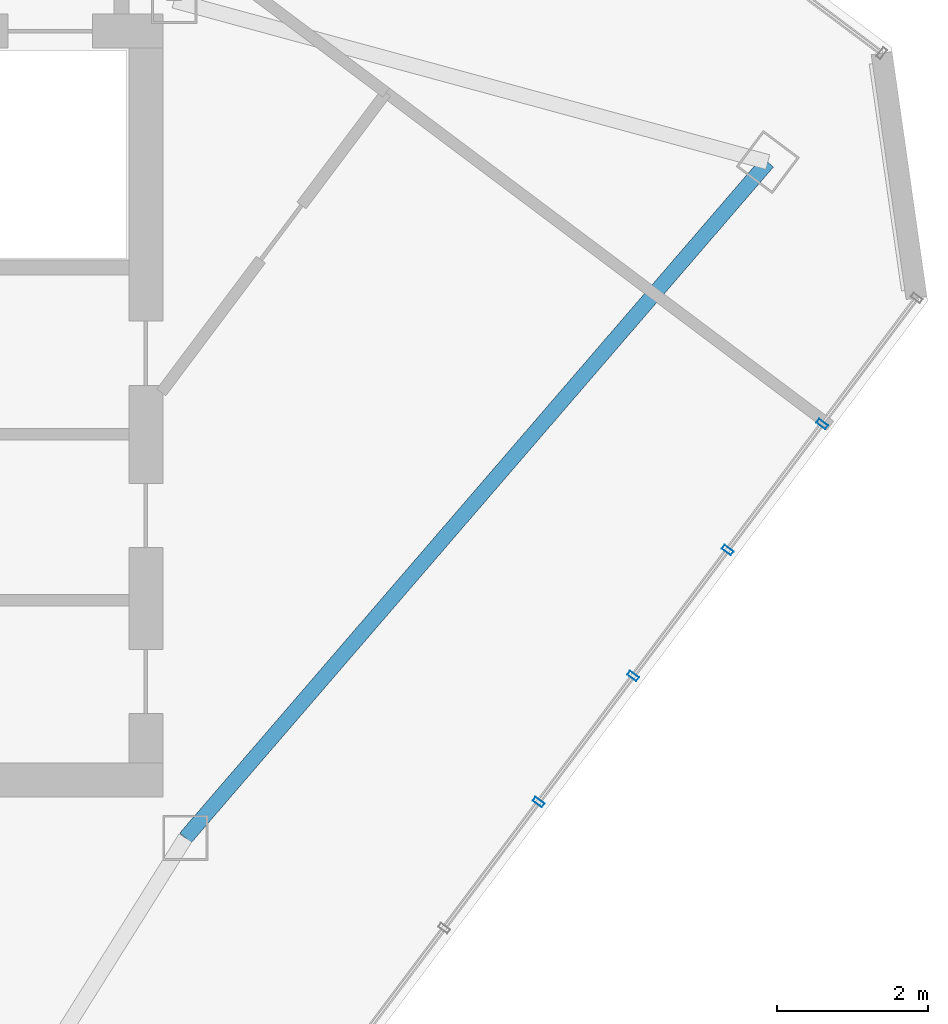
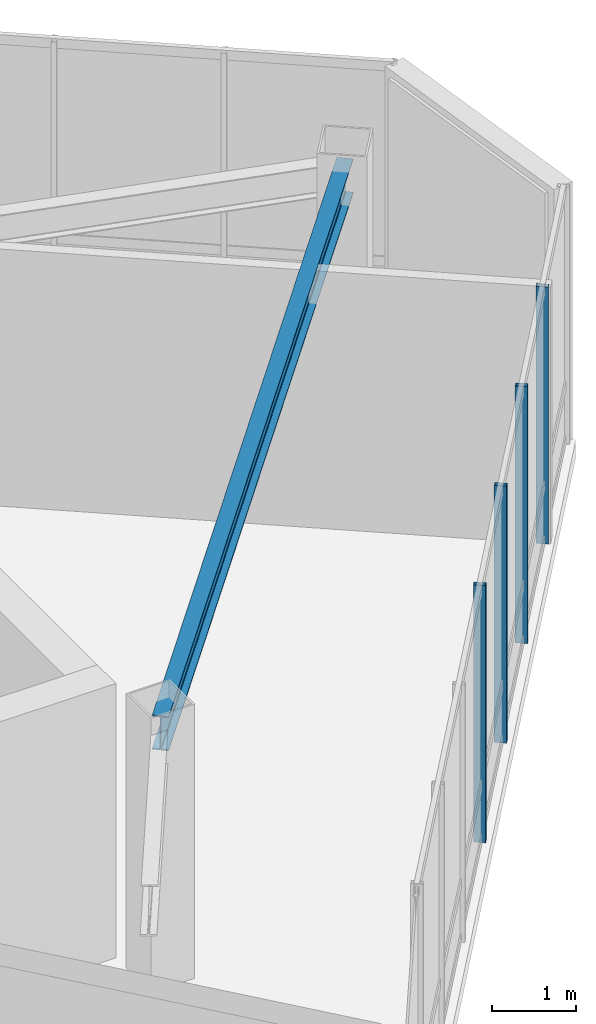
# One storey, part 10 of 30: 4 members, 1 beam, 1 element without a shape of its own.
"""IFC4 building model written with IfcOpenShell, lengths in metres."""

import ifcopenshell
import ifcopenshell.guid

model = None  # the IFC model being written
_history = None  # IfcOwnerHistory: only IFC2X3 demands one
_inside = {}  # id of a spatial element -> (the spatial element, [elements in it])
_under = {}  # id of a project, library or spatial element -> (it, [spatial elements below it])
_declared = {}  # id of a project -> (the project, [libraries it declares])
_typed = {}  # id of a type object -> (the type object, [elements of that type])
_made_of = {}  # id of a material, layer set ... -> (it, [elements and type objects made of it])


def new_model(schema):
    """Start an empty IFC model of exactly this schema.

    Asked for "IFC4X3", IfcOpenShell would pick the latest addendum, in which some entities
    have other attributes; the version numbers below select the first issue.
    IFC2X3 requires an IfcOwnerHistory on every rooted entity: one is made here for all.
    """
    global model, _history
    if schema == "IFC4X3":
        model = ifcopenshell.file(schema_version=(4, 3, 0, 0))
    else:
        model = ifcopenshell.file(schema=schema)
    _inside.clear()
    _under.clear()
    _declared.clear()
    _typed.clear()
    _made_of.clear()
    _history = None
    if model.schema == "IFC2X3":
        org = make("IfcOrganization", Name="unknown")
        user = make(
            "IfcPersonAndOrganization",
            ThePerson=make("IfcPerson", FamilyName="unknown"),
            TheOrganization=org,
        )
        app = make(
            "IfcApplication",
            ApplicationDeveloper=org,
            Version="unknown",
            ApplicationFullName="unknown",
            ApplicationIdentifier="unknown",
        )
        _history = make(
            "IfcOwnerHistory",
            OwningUser=user,
            OwningApplication=app,
            ChangeAction="ADDED",
            CreationDate=0,
        )
    return model


def make(cls, **values):
    """One entity of the class cls with the attributes given. An attribute that is None is left unset."""
    return model.create_entity(
        cls, **{name: value for name, value in values.items() if value is not None}
    )


def rooted(cls, **values):
    """An entity with a GlobalId (a new one), such as an element, a storey or a relation."""
    return make(cls, GlobalId=ifcopenshell.guid.new(), OwnerHistory=_history, **values)


def si_unit(unit_type, name, prefix=None):
    """IfcSIUnit, for example si_unit("LENGTHUNIT", "METRE", prefix="MILLI")."""
    return make("IfcSIUnit", UnitType=unit_type, Prefix=prefix, Name=name)


def assignment(units):
    """IfcUnitAssignment: the units of a project."""
    return None if units is None else make("IfcUnitAssignment", Units=units)


def point(xyz):
    """IfcCartesianPoint."""
    return None if xyz is None else make("IfcCartesianPoint", Coordinates=xyz)


def direction(xyz):
    """IfcDirection."""
    return None if xyz is None else make("IfcDirection", DirectionRatios=xyz)


def frame(location, z_axis=None, x_axis=None):
    """IfcAxis2Placement3D, a coordinate frame: its origin and axes. An axis left out is left unset."""
    return make(
        "IfcAxis2Placement3D",
        Location=point(location),
        Axis=direction(z_axis),
        RefDirection=direction(x_axis),
    )


def frame_2d(location, x_axis=None):
    """IfcAxis2Placement2D, a coordinate frame in the plane: its origin and x axis."""
    return make(
        "IfcAxis2Placement2D", Location=point(location), RefDirection=direction(x_axis)
    )


def origin():
    """The frame at (0, 0, 0) with its axes left unset."""
    return frame((0.0, 0.0, 0.0))


def origin_2d():
    """The frame at (0, 0) in the plane with its x axis left unset."""
    return frame_2d((0.0, 0.0))


def place(relative_to, where):
    """IfcLocalPlacement: puts the frame where relative to a parent placement (None: the world)."""
    return make(
        "IfcLocalPlacement", PlacementRelTo=relative_to, RelativePlacement=where
    )


def context(
    kind, dimensions, precision=None, world=None, true_north=None, identifier=None
):
    """IfcGeometricRepresentationContext, for example the 3D "Model" context."""
    return make(
        "IfcGeometricRepresentationContext",
        ContextIdentifier=identifier,
        ContextType=kind,
        CoordinateSpaceDimension=dimensions,
        Precision=precision,
        WorldCoordinateSystem=world,
        TrueNorth=true_north,
    )


def subcontext(parent, identifier, kind, view, scale=None):
    """IfcGeometricRepresentationSubContext, for example "Body" below "Model"."""
    return make(
        "IfcGeometricRepresentationSubContext",
        ContextIdentifier=identifier,
        ContextType=kind,
        ParentContext=parent,
        TargetScale=scale,
        TargetView=view,
    )


def project(units=None, contexts=None):
    """IfcProject with its units and contexts."""
    return rooted(
        "IfcProject",
        Name="project",
        RepresentationContexts=contexts,
        UnitsInContext=assignment(units),
    )


def spatial(cls, under=None, at=None, **own):
    """A site, building, storey or space (cls), placed at a placement, below another one or the project."""
    s = rooted(cls, ObjectPlacement=at, **own)
    if under is not None:
        _under.setdefault(under.id(), (under, []))[1].append(s)
    return s


def profile(cls, at=None, kind="AREA", **sizes):
    """A parametric profile (cls). Its sizes go by their IFC names, for example OverallWidth=200.0."""
    return make(cls, ProfileType=kind, Position=at, **sizes)


def hollow_rectangle(**sizes):
    """IfcRectangleHollowProfileDef."""
    return profile("IfcRectangleHollowProfileDef", **sizes)


def i_section(**sizes):
    """IfcIShapeProfileDef."""
    return profile("IfcIShapeProfileDef", **sizes)


def extrude(swept, where, along, depth):
    """IfcExtrudedAreaSolid: the profile swept, set in the frame where, extruded along a direction by depth."""
    return make(
        "IfcExtrudedAreaSolid",
        SweptArea=swept,
        Position=where,
        ExtrudedDirection=direction(along),
        Depth=depth,
    )


def shape(context_of_items, identifier, shape_type, items):
    """IfcShapeRepresentation: the items that make up one representation, for example the "Body"."""
    return make(
        "IfcShapeRepresentation",
        ContextOfItems=context_of_items,
        RepresentationIdentifier=identifier,
        RepresentationType=shape_type,
        Items=items,
    )


def material(Name=None, Category=None):
    """IfcMaterial."""
    return make("IfcMaterial", Name=Name, Category=Category)


def layer(
    of_material, thickness, ventilated=None, Name=None, Category=None, Priority=None
):
    """IfcMaterialLayer: one layer of a wall or slab, of a material (None: an air gap)."""
    return make(
        "IfcMaterialLayer",
        Material=of_material,
        LayerThickness=thickness,
        IsVentilated=ventilated,
        Name=Name,
        Category=Category,
        Priority=Priority,
    )


def layer_set(layers, Name=None):
    """IfcMaterialLayerSet."""
    return make("IfcMaterialLayerSet", MaterialLayers=layers, LayerSetName=Name)


def material_profile(
    of_material, cross_section, Name=None, Category=None, Priority=None
):
    """IfcMaterialProfile: a cross section and its material."""
    return make(
        "IfcMaterialProfile",
        Name=Name,
        Material=of_material,
        Profile=cross_section,
        Priority=Priority,
        Category=Category,
    )


def profile_set(profiles, Name=None, composite=None):
    """IfcMaterialProfileSet."""
    return make(
        "IfcMaterialProfileSet",
        Name=Name,
        MaterialProfiles=profiles,
        CompositeProfile=composite,
    )


def made_of(thing, what):
    """Note that an element or type object is made of a material, layer set ...; save() writes the relation."""
    if what is not None:
        _made_of.setdefault(what.id(), (what, []))[1].append(thing)
    return thing


def type_object(cls, material=None, **own):
    """A type object (cls), such as IfcWallType, which elements share."""
    return made_of(rooted(cls, **own), material)


def element(
    cls,
    number,
    at=None,
    inside=None,
    cuts=None,
    type_object=None,
    material=None,
    context=None,
    identifier="Body",
    shape_type=None,
    held_by="IfcProductDefinitionShape",
    body=None,
    shapes=None,
    **own,
):
    """One element of the class cls, such as IfcWall. Its Tag is "e" and its number.

    at: its placement. inside: the storey or other place that contains it. cuts: it is an
    opening in that element (IfcRelVoidsElement). A single representation is given by context,
    identifier, shape_type and body (its items); several are given by shapes. held_by: the class
    of the entity that holds the representations. save() writes the other relations.
    """
    e = rooted(cls, Tag="e%d" % number, ObjectPlacement=at, **own)
    if body is not None:
        shapes = [shape(context, identifier, shape_type, body)]
    if shapes is not None:
        e.Representation = make(held_by, Representations=shapes)
    if inside is not None:
        _inside.setdefault(inside.id(), (inside, []))[1].append(e)
    if cuts is not None:
        rooted(
            "IfcRelVoidsElement", RelatingBuildingElement=cuts, RelatedOpeningElement=e
        )
    if type_object is not None:
        _typed.setdefault(type_object.id(), (type_object, []))[1].append(e)
    return made_of(e, material)


def aggregate(whole, parts):
    """IfcRelAggregates: a whole, such as a stair, and the parts it consists of."""
    return rooted("IfcRelAggregates", RelatingObject=whole, RelatedObjects=parts)


def save(model, path):
    """Write the relations noted so far, then the file.

    IfcRelAggregates (storeys below a building ...), IfcRelContainedInSpatialStructure (elements
    in a storey), IfcRelDefinesByType, IfcRelAssociatesMaterial and IfcRelDeclares: one each for
    every whole, place, type object, material and project.
    """
    for whole, parts in _under.values():
        aggregate(whole, parts)
    for where, things in _inside.values():
        rooted(
            "IfcRelContainedInSpatialStructure",
            RelatedElements=things,
            RelatingStructure=where,
        )
    for kind, things in _typed.values():
        rooted("IfcRelDefinesByType", RelatedObjects=things, RelatingType=kind)
    for what, things in _made_of.values():
        rooted("IfcRelAssociatesMaterial", RelatedObjects=things, RelatingMaterial=what)
    for by, libraries in _declared.values():
        rooted("IfcRelDeclares", RelatingContext=by, RelatedDefinitions=libraries)
    model.write(path)


model = new_model("IFC4")

# Units and contexts
model_context = context("Model", 3, precision=1e-05, world=origin(), true_north=direction((0.0, 1.0)))
body_context = subcontext(model_context, "Body", "Model", "MODEL_VIEW")
ifc_project = project(units=[si_unit("LENGTHUNIT", "METRE"), si_unit("AREAUNIT", "SQUARE_METRE"), si_unit("VOLUMEUNIT", "CUBIC_METRE"), si_unit("PLANEANGLEUNIT", "RADIAN"), si_unit("MASSUNIT", "GRAM", prefix="KILO")], contexts=[model_context])

# Site, building, storey
site_placement = place(None, origin())
site = spatial("IfcSite", under=ifc_project, at=site_placement, CompositionType="ELEMENT")
building_placement = place(site_placement, origin())
building = spatial("IfcBuilding", under=site, at=building_placement, Name="Hatsunagi Terrace Concourse", CompositionType="ELEMENT")
storey_placement = place(building_placement, frame((0.0, 0.0, 273.949951171875)))
storey = spatial("IfcBuildingStorey", under=building, at=storey_placement, Name="L72", CompositionType="ELEMENT", Elevation=273.949951171875)

# Beam
ifc_material_1 = material(Name="Steel SN490B", Category="steel")
ifc_material_profile_1 = material_profile(ifc_material_1, i_section(OverallWidth=0.199951171875, OverallDepth=0.5, WebThickness=0.010009765625, FlangeThickness=0.01611328125, FilletRadius=0.01611328125, at=origin_2d()), Name="H-500x200x10x16")
ifc_profile_set_1 = profile_set([ifc_material_profile_1], Name="Steel SN490B")
beam_type = type_object("IfcBeamType", Name="CrownFloorGirder_H_500x200", PredefinedType="BEAM", material=ifc_profile_set_1)
beam_placement = place(storey_placement, frame((43.800048828125, 24.199951171875, 3.5), z_axis=(0.652739101421, 0.757582777969, 0.0), x_axis=(-0.757582777969, 0.652739101421, 0.0)))
element("IfcBeam", 1, at=beam_placement, inside=storey, type_object=beam_type, Name="Beam G-07 BM-L72-SET-1B", PredefinedType="BEAM", context=body_context, shape_type="SweptSolid", body=[
    extrude(i_section(OverallWidth=0.199951171875, OverallDepth=0.5, WebThickness=0.010009765625, FlangeThickness=0.01611328125, FilletRadius=0.01611328125, at=origin_2d()), origin(), (0.0, 0.0, 1.0), 11.8271484375),
])

# Curtain wall, members
ifc_material_2 = material(Name="Anodised Aluminium Alloy 6063-T5", Category="aluminium")
ifc_layer = layer(ifc_material_2, 0.199951171875)
ifc_layer_set = layer_set([ifc_layer], Name="CrownWintergarden_CW06")
curtain_wall_type = type_object("IfcCurtainWallType", Name="CrownWintergarden_CW06", PredefinedType="NOTDEFINED", material=ifc_layer_set)
curtain_wall_placement = place(storey_placement, origin())
curtain_wall = element("IfcCurtainWall", 2, at=curtain_wall_placement, inside=storey, type_object=curtain_wall_type, Name="Unitised Curtain Wall CW-06 CW-L72-03", PredefinedType="NOTDEFINED")
ifc_material_3 = material(Name="Anodised Aluminium Alloy 6063-T5", Category="aluminium")
ifc_material_profile_2 = material_profile(ifc_material_3, hollow_rectangle(XDim=0.06494140625, YDim=0.14990234375, WallThickness=0.00390625, at=origin_2d()), Name="ALU-MUL-150x65x4")
ifc_profile_set_2 = profile_set([ifc_material_profile_2], Name="Anodised Aluminium Alloy 6063-T5")
member_type = type_object("IfcMemberType", Name="CurtainWallMullion_Crown_150x65", PredefinedType="MULLION", material=ifc_profile_set_2)
member_1_placement = place(storey_placement, frame((52.239990234375, 29.68701171875, 0.0), z_axis=(0.0, 0.0, 1.0), x_axis=(-0.599969314634, -0.800023013105, 0.0)))
member_1 = element("IfcMember", 3, at=member_1_placement, type_object=member_type, Name="Curtain Wall Mullion MUL-03", PredefinedType="MULLION", context=body_context, shape_type="SweptSolid", body=[
    extrude(hollow_rectangle(XDim=0.06494140625, YDim=0.14990234375, WallThickness=0.00390625, at=origin_2d()), origin(), (0.0, 0.0, 1.0), 3.75),
])
member_2_placement = place(storey_placement, frame((50.987060546875, 28.01611328125, 0.0), z_axis=(0.0, 0.0, 1.0), x_axis=(-0.599969314634, -0.800023013105, 0.0)))
member_2 = element("IfcMember", 4, at=member_2_placement, type_object=member_type, Name="Curtain Wall Mullion MUL-03", PredefinedType="MULLION", context=body_context, shape_type="SweptSolid", body=[
    extrude(hollow_rectangle(XDim=0.06494140625, YDim=0.14990234375, WallThickness=0.00390625, at=origin_2d()), origin(), (0.0, 0.0, 1.0), 3.75),
])
member_3_placement = place(storey_placement, frame((49.73388671875, 26.345947265625, 0.0), z_axis=(0.0, 0.0, 1.0), x_axis=(-0.599969314634, -0.800023013105, 0.0)))
member_3 = element("IfcMember", 5, at=member_3_placement, type_object=member_type, Name="Curtain Wall Mullion MUL-03", PredefinedType="MULLION", context=body_context, shape_type="SweptSolid", body=[
    extrude(hollow_rectangle(XDim=0.06494140625, YDim=0.14990234375, WallThickness=0.00390625, at=origin_2d()), origin(), (0.0, 0.0, 1.0), 3.75),
])
member_4_placement = place(storey_placement, frame((48.48095703125, 24.675048828125, 0.0), z_axis=(0.0, 0.0, 1.0), x_axis=(-0.599969314634, -0.800023013105, 0.0)))
member_4 = element("IfcMember", 6, at=member_4_placement, type_object=member_type, Name="Curtain Wall Mullion MUL-03", PredefinedType="MULLION", context=body_context, shape_type="SweptSolid", body=[
    extrude(hollow_rectangle(XDim=0.06494140625, YDim=0.14990234375, WallThickness=0.00390625, at=origin_2d()), origin(), (0.0, 0.0, 1.0), 3.75),
])
aggregate(curtain_wall, [member_1, member_2, member_3, member_4])

save(model, "model.ifc")
